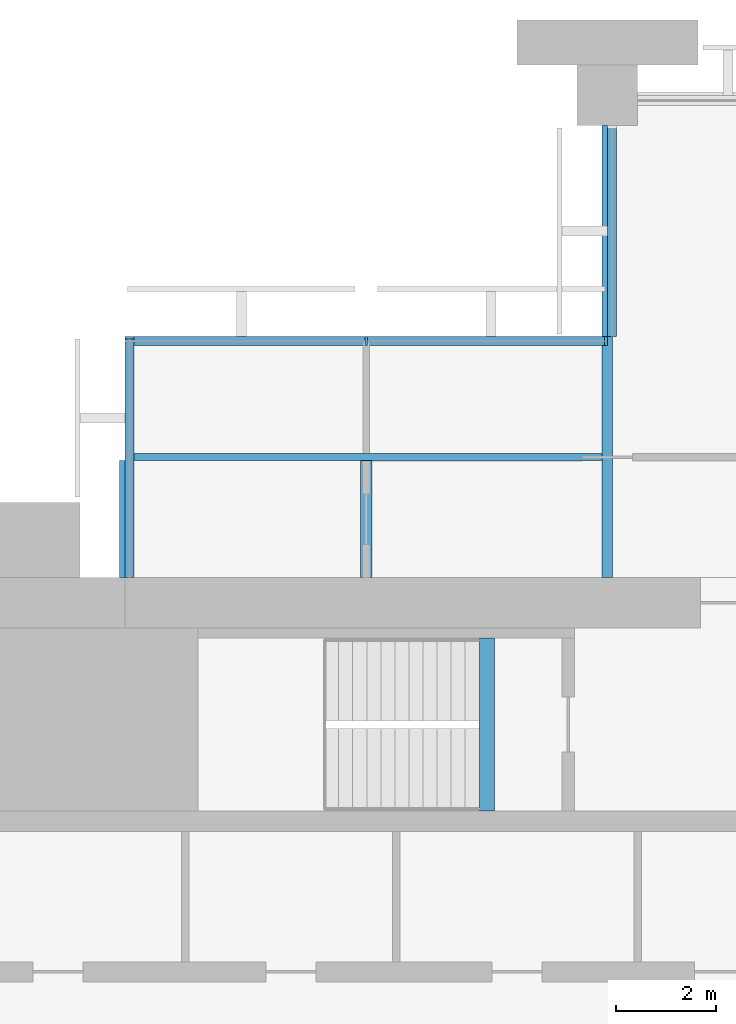
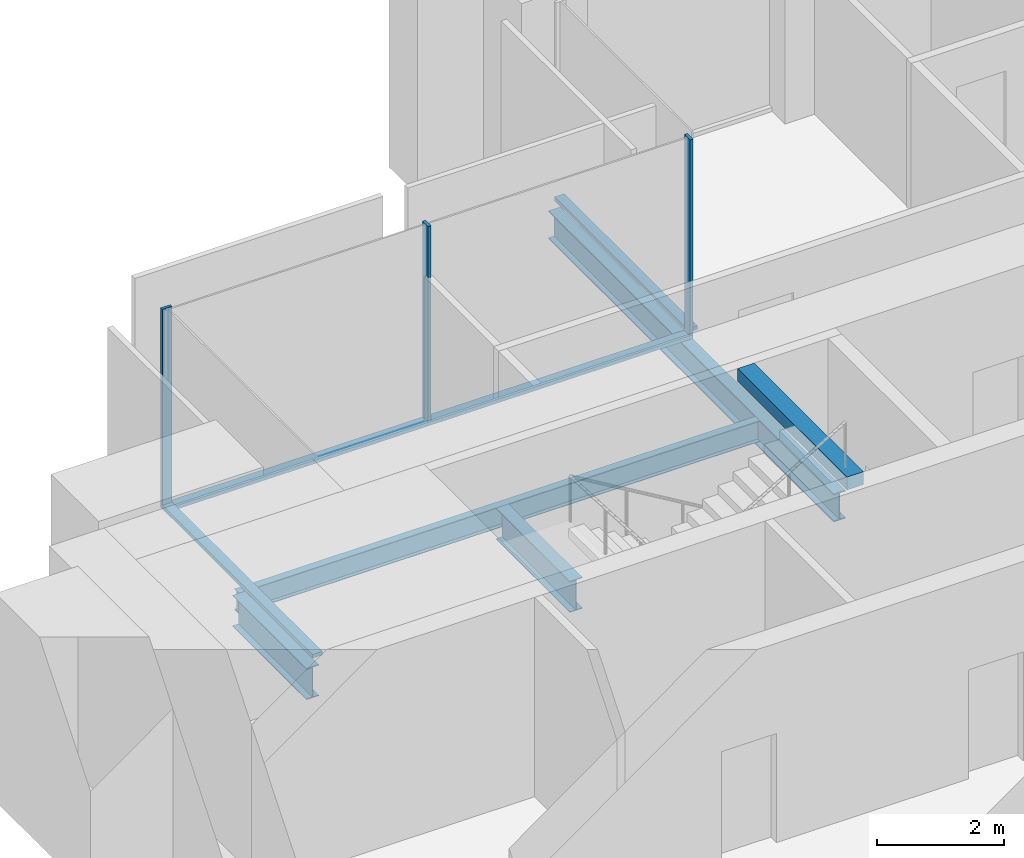
# One storey, part 5 of 14: 6 members, 5 beams, 3 elements without a shape of their own.
"""IFC4 building model written with IfcOpenShell, lengths in metres."""

from ifc_helpers import new_model, si_unit, direction, frame, origin, origin_2d, place, context, subcontext, project, spatial, rectangle, i_section, extrude, material, material_profile, profile_set, type_object, element, aggregate, save


model = new_model("IFC4")

# Units and contexts
model_context = context("Model", 3, precision=1e-05, world=origin(), true_north=direction((0.0, 1.0)))
body_context = subcontext(model_context, "Body", "Model", "MODEL_VIEW")
ifc_project = project(units=[si_unit("LENGTHUNIT", "METRE"), si_unit("AREAUNIT", "SQUARE_METRE"), si_unit("VOLUMEUNIT", "CUBIC_METRE"), si_unit("PLANEANGLEUNIT", "RADIAN"), si_unit("MASSUNIT", "GRAM", prefix="KILO")], contexts=[model_context])

# Site, building, storey
site_placement = place(None, origin())
site = spatial("IfcSite", under=ifc_project, at=site_placement, CompositionType="ELEMENT")
building_placement = place(site_placement, origin())
building = spatial("IfcBuilding", under=site, at=building_placement, Name="Baori Bourse Tower", CompositionType="ELEMENT")
storey_placement = place(building_placement, frame((0.0, 0.0, 136.10009765625)))
storey = spatial("IfcBuildingStorey", under=building, at=storey_placement, Name="L29", CompositionType="ELEMENT", Elevation=136.10009765625)

# Curtain wall, members
ifc_material_1 = material(Name="Pale anodised aluminium", Category="aluminium")
curtain_wall_type = type_object("IfcCurtainWallType", Name="CW2 Curtain wall", PredefinedType="NOTDEFINED", material=ifc_material_1)
curtain_wall_1_placement = place(storey_placement, origin())
curtain_wall_1 = element("IfcCurtainWall", 1, at=curtain_wall_1_placement, inside=storey, type_object=curtain_wall_type, Name="Curtain wall CW2 L29 6", PredefinedType="NOTDEFINED")
ifc_material_2 = material(Name="Pale anodised aluminium", Category="aluminium")
ifc_material_profile_1 = material_profile(ifc_material_2, rectangle(XDim=0.179931640625, YDim=0.054931640625, at=origin_2d()), Name="Mullion 55x180")
ifc_profile_set_1 = profile_set([ifc_material_profile_1], Name="Pale anodised aluminium")
member_type_1 = type_object("IfcMemberType", Name="CW2 Curtain wall mullion", PredefinedType="MULLION", material=ifc_profile_set_1)
member_1_placement = place(storey_placement, frame((14.37255859375, 43.110107421875, 0.06982421875), z_axis=(0.0, 0.0, 1.0), x_axis=(0.0, -1.0, 0.0)))
member_1 = element("IfcMember", 2, at=member_1_placement, type_object=member_type_1, Name="Curtain wall CW2 mullion", PredefinedType="MULLION", context=body_context, shape_type="SweptSolid", body=[
    extrude(rectangle(XDim=0.179931640625, YDim=0.054931640625, at=origin_2d()), origin(), (0.0, 0.0, 1.0), 3.77001953125),
])
member_2_placement = place(storey_placement, frame((9.60009765625, 43.110107421875, 0.06982421875), z_axis=(0.0, 0.0, 1.0), x_axis=(0.0, -1.0, 0.0)))
member_2 = element("IfcMember", 3, at=member_2_placement, type_object=member_type_1, Name="Curtain wall CW2 mullion", PredefinedType="MULLION", context=body_context, shape_type="SweptSolid", body=[
    extrude(rectangle(XDim=0.179931640625, YDim=0.054931640625, at=origin_2d()), origin(), (0.0, 0.0, 1.0), 3.77001953125),
])

# Curtain wall, member
curtain_wall_2_placement = place(storey_placement, origin())
curtain_wall_2 = element("IfcCurtainWall", 4, at=curtain_wall_2_placement, inside=storey, type_object=curtain_wall_type, Name="Curtain wall CW2 L29 7", PredefinedType="NOTDEFINED")
member_3_placement = place(storey_placement, frame((4.889892578125, 43.172607421875, 0.06982421875), z_axis=(0.0, 0.0, 1.0), x_axis=(1.0, 0.0, 0.0)))
member_3 = element("IfcMember", 5, at=member_3_placement, type_object=member_type_1, Name="Curtain wall CW2 mullion", PredefinedType="MULLION", context=body_context, shape_type="SweptSolid", body=[
    extrude(rectangle(XDim=0.179931640625, YDim=0.054931640625, at=origin_2d()), origin(), (0.0, 0.0, 1.0), 3.77001953125),
])

curtain_wall_3_placement = place(storey_placement, origin())
curtain_wall_3 = element("IfcCurtainWall", 6, at=curtain_wall_3_placement, inside=storey, type_object=curtain_wall_type, Name="Curtain wall CW2 L29 5", PredefinedType="NOTDEFINED")
ifc_material_3 = material(Name="Pale anodised aluminium", Category="aluminium")
ifc_material_profile_2 = material_profile(ifc_material_3, rectangle(XDim=0.179931640625, YDim=0.070068359375, at=origin_2d()), Name="Transom 70x180")
ifc_profile_set_2 = profile_set([ifc_material_profile_2], Name="Pale anodised aluminium")
member_type_2 = type_object("IfcMemberType", Name="CW2 Curtain wall transom", PredefinedType="USERDEFINED", material=ifc_profile_set_2)
member_4_placement = place(storey_placement, frame((14.489990234375, 47.39990234375, 0.034912109375), z_axis=(0.0, -1.0, 0.0), x_axis=(1.0, 0.0, 0.0)))
member_4 = element("IfcMember", 7, at=member_4_placement, type_object=member_type_2, Name="Curtain wall CW2 sill rail", ObjectType="TRANSOM", PredefinedType="USERDEFINED", context=body_context, shape_type="SweptSolid", body=[
    extrude(rectangle(XDim=0.179931640625, YDim=0.070068359375, at=origin_2d()), origin(), (0.0, 0.0, 1.0), 4.199951171875),
])
aggregate(curtain_wall_3, [member_4])

# Member
member_5_placement = place(storey_placement, frame((14.39990234375, 43.110107421875, 0.034912109375), z_axis=(-1.0, 0.0, 0.0), x_axis=(0.0, -1.0, 0.0)))
member_5 = element("IfcMember", 8, at=member_5_placement, type_object=member_type_2, Name="Curtain wall CW2 sill rail", ObjectType="TRANSOM", PredefinedType="USERDEFINED", context=body_context, shape_type="SweptSolid", body=[
    extrude(rectangle(XDim=0.179931640625, YDim=0.070068359375, at=origin_2d()), origin(), (0.0, 0.0, 1.0), 9.599853515625),
])

aggregate(curtain_wall_1, [member_5, member_1, member_2])

member_6_placement = place(storey_placement, frame((4.889892578125, 43.199951171875, 0.034912109375), z_axis=(0.0, -1.0, 0.0), x_axis=(1.0, 0.0, 0.0)))
member_6 = element("IfcMember", 9, at=member_6_placement, type_object=member_type_2, Name="Curtain wall CW2 sill rail", ObjectType="TRANSOM", PredefinedType="USERDEFINED", context=body_context, shape_type="SweptSolid", body=[
    extrude(rectangle(XDim=0.179931640625, YDim=0.070068359375, at=origin_2d()), origin(), (0.0, 0.0, 1.0), 4.800048828125),
])

aggregate(curtain_wall_2, [member_6, member_3])

# Beams
ifc_material_4 = material(Name="Steel A992 Gr 50", Category="steel")
ifc_material_profile_3 = material_profile(ifc_material_4, i_section(OverallWidth=0.227783203125, OverallDepth=0.60205078125, WebThickness=0.010498046875, FlangeThickness=0.014892578125, at=origin_2d()), Name="W24x68")
ifc_profile_set_3 = profile_set([ifc_material_profile_3], Name="Steel A992 Gr 50")
beam_type_1 = type_object("IfcBeamType", Name="Core bracket W24x68", PredefinedType="BEAM", material=ifc_profile_set_3)
for number, where, z_axis, x_axis, name in (
    (10, (4.800048828125, 38.39990234375, -0.461181640625), (0.0, 1.0, 0.0), (-1.0, 0.0, 0.0), "Core bracket L29"),
    (11, (9.60009765625, 38.39990234375, -0.461181640625), (0.0, 1.0, 0.0), (-1.0, 0.0, 0.0), "Core bracket L29"),
):
    element("IfcBeam", number, at=place(storey_placement, frame(where, z_axis=z_axis, x_axis=x_axis)), inside=storey, type_object=beam_type_1, Name=name, PredefinedType="BEAM", context=body_context, shape_type="SweptSolid", body=[
        extrude(i_section(OverallWidth=0.227783203125, OverallDepth=0.60205078125, WebThickness=0.010498046875, FlangeThickness=0.014892578125, at=origin_2d()), origin(), (0.0, 0.0, 1.0), 2.329833984375),
    ])
ifc_material_5 = material(Name="Steel A992 Gr 50", Category="steel")
ifc_material_profile_4 = material_profile(ifc_material_5, i_section(OverallWidth=0.21240234375, OverallDepth=0.54345703125, WebThickness=0.01318359375, FlangeThickness=0.021240234375, at=origin_2d()), Name="W21x83")
ifc_profile_set_4 = profile_set([ifc_material_profile_4], Name="Steel A992 Gr 50")
beam_type_2 = type_object("IfcBeamType", Name="Floor beam W21x83", PredefinedType="BEAM", material=ifc_profile_set_4)
beam_1_placement = place(storey_placement, frame((14.39990234375, 38.39990234375, -0.431884765625), z_axis=(0.0, 1.0, 0.0), x_axis=(-1.0, 0.0, 0.0)))
element("IfcBeam", 12, at=beam_1_placement, inside=storey, type_object=beam_type_2, Name="Floor beam L29", PredefinedType="BEAM", context=body_context, shape_type="SweptSolid", body=[
    extrude(i_section(OverallWidth=0.21240234375, OverallDepth=0.54345703125, WebThickness=0.01318359375, FlangeThickness=0.021240234375, at=origin_2d()), origin(), (0.0, 0.0, 1.0), 9.0),
])
ifc_material_6 = material(Name="Concrete f'c 50 MPa", Category="concrete")
ifc_material_profile_5 = material_profile(ifc_material_6, rectangle(XDim=0.300048828125, YDim=0.25, at=origin_2d()), Name="RC 300x250")
ifc_profile_set_5 = profile_set([ifc_material_profile_5], Name="Concrete f'c 50 MPa")
beam_type_3 = type_object("IfcBeamType", Name="Stair nib beam RC 300x250", PredefinedType="BEAM", material=ifc_profile_set_5)
beam_2_placement = place(storey_placement, frame((12.0, 33.75, 3.71484375), z_axis=(0.0, 1.0, 0.0), x_axis=(-1.0, 0.0, 0.0)))
element("IfcBeam", 13, at=beam_2_placement, inside=storey, type_object=beam_type_3, Name="Stair WB nib beam L30", PredefinedType="BEAM", context=body_context, shape_type="SweptSolid", body=[
    extrude(rectangle(XDim=0.300048828125, YDim=0.25, at=origin_2d()), origin(), (0.0, 0.0, 1.0), 3.449951171875),
])
ifc_material_7 = material(Name="Steel A992 Gr 50", Category="steel")
ifc_material_profile_6 = material_profile(ifc_material_7, i_section(OverallWidth=0.140380859375, OverallDepth=0.40380859375, WebThickness=0.007080078125, FlangeThickness=0.01123046875, at=origin_2d()), Name="W16x31")
ifc_profile_set_6 = profile_set([ifc_material_profile_6], Name="Steel A992 Gr 50")
beam_type_4 = type_object("IfcBeamType", Name="Trimmer beam W16x31", PredefinedType="BEAM", material=ifc_profile_set_6)
beam_3_placement = place(storey_placement, frame((4.800048828125, 40.800048828125, -0.362060546875), z_axis=(1.0, 0.0, 0.0), x_axis=(0.0, 1.0, 0.0)))
element("IfcBeam", 14, at=beam_3_placement, inside=storey, type_object=beam_type_4, Name="Trimmer beam L29", PredefinedType="BEAM", context=body_context, shape_type="SweptSolid", body=[
    extrude(i_section(OverallWidth=0.140380859375, OverallDepth=0.40380859375, WebThickness=0.007080078125, FlangeThickness=0.01123046875, at=origin_2d()), origin(), (0.0, 0.0, 1.0), 9.493896484375),
])

save(model, "model.ifc")
